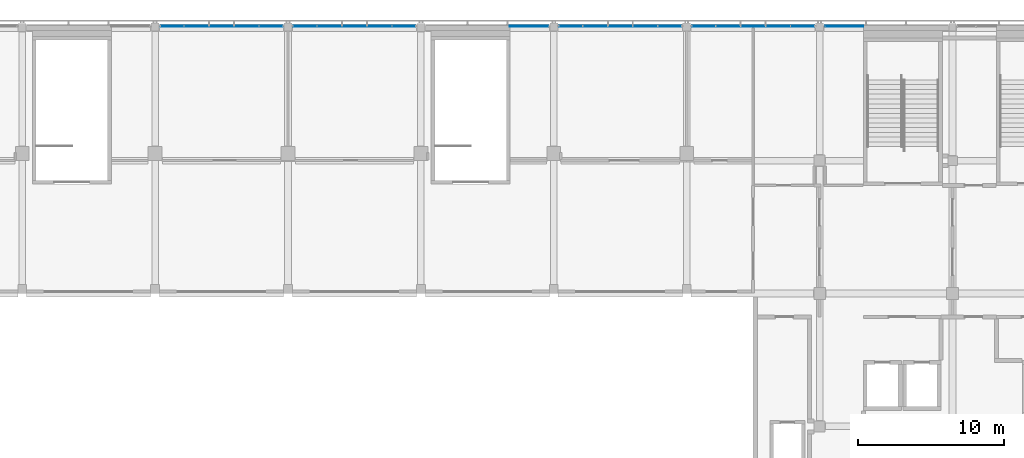
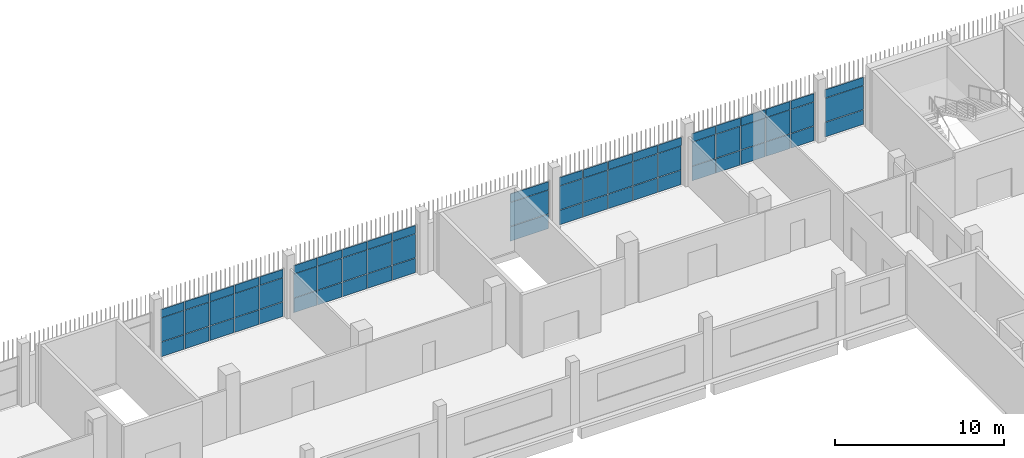
# One storey, part 49 of 104: 66 plates, 6 elements without a shape of their own.
"""IFC4 building model written with IfcOpenShell, lengths in metres."""

from ifc_helpers import new_model, si_unit, direction, frame, origin, origin_2d, place, context, subcontext, project, spatial, rectangle, extrude, material, layer, layer_set, type_object, element, aggregate, save


model = new_model("IFC4")

# Units and contexts
model_context = context("Model", 3, precision=1e-05, world=origin(), true_north=direction((0.0, 1.0)))
body_context = subcontext(model_context, "Body", "Model", "MODEL_VIEW")
ifc_project = project(units=[si_unit("LENGTHUNIT", "METRE"), si_unit("AREAUNIT", "SQUARE_METRE"), si_unit("VOLUMEUNIT", "CUBIC_METRE"), si_unit("PLANEANGLEUNIT", "RADIAN"), si_unit("MASSUNIT", "GRAM", prefix="KILO")], contexts=[model_context])

# Site, building, storey
site_placement = place(None, origin())
site = spatial("IfcSite", under=ifc_project, at=site_placement, CompositionType="ELEMENT")
building_placement = place(site_placement, origin())
building = spatial("IfcBuilding", under=site, at=building_placement, Name="Shirokan Park Arena", CompositionType="ELEMENT")
storey_placement = place(building_placement, frame((0.0, 0.0, 10.919921875)))
storey = spatial("IfcBuildingStorey", under=building, at=storey_placement, Name="L02", CompositionType="ELEMENT", Elevation=10.919921875)

# Curtain wall, plate
ifc_material_1 = material(Name="Steel and glass curtain wall", Category="steel")
ifc_layer_1 = layer(ifc_material_1, 0.1201171875)
ifc_layer_set_1 = layer_set([ifc_layer_1], Name="Steel and glass curtain wall 120 mm")
curtain_wall_type_1 = type_object("IfcCurtainWallType", Name="Curtain wall corner block side bay 120", PredefinedType="NOTDEFINED", material=ifc_layer_set_1)
curtain_wall_1_placement = place(storey_placement, origin())
curtain_wall_1 = element("IfcCurtainWall", 1, at=curtain_wall_1_placement, inside=storey, type_object=curtain_wall_type_1, Name="Curtain wall north bay 4 L02", PredefinedType="NOTDEFINED")
ifc_material_2 = material(Name="Aluminium sheet", Category="aluminium")
ifc_layer_2 = layer(ifc_material_2, 0.0029296875, Name="Aluminium sheet")
ifc_material_3 = material(Name="Mineral wool insulation")
ifc_layer_3 = layer(ifc_material_3, 0.053955078125, Name="Mineral wool insulation")
ifc_layer_4 = layer(ifc_material_2, 0.0029296875, Name="Aluminium sheet")
ifc_layer_set_2 = layer_set([ifc_layer_2, ifc_layer_3, ifc_layer_4], Name="Aluminium sheet + Mineral wool insulation")
plate_type_1 = type_object("IfcPlateType", Name="Insulated spandrel panel 60", PredefinedType="CURTAIN_PANEL", material=ifc_layer_set_2)
plate_1_placement = place(storey_placement, frame((110.887451171875, 109.2900390625, 2.8701171875), z_axis=(0.0, 0.0, 1.0), x_axis=(-1.0, 0.0, 0.0)))
plate_1 = element("IfcPlate", 2, at=plate_1_placement, type_object=plate_type_1, Name="CW3 panel 1.3", PredefinedType="CURTAIN_PANEL", context=body_context, shape_type="SweptSolid", body=[
    extrude(rectangle(XDim=2.625, YDim=0.06005859375, at=origin_2d()), origin(), (0.0, 0.0, 1.0), 0.590087890625),
])

# Curtain wall, plates
ifc_layer_5 = layer(ifc_material_1, 0.10009765625)
ifc_layer_set_3 = layer_set([ifc_layer_5], Name="Steel and glass curtain wall 100 mm")
curtain_wall_type_2 = type_object("IfcCurtainWallType", Name="Curtain wall sheltered bay 100", PredefinedType="NOTDEFINED", material=ifc_layer_set_3)
curtain_wall_2_placement = place(storey_placement, origin())
curtain_wall_2 = element("IfcCurtainWall", 3, at=curtain_wall_2_placement, inside=storey, type_object=curtain_wall_type_2, Name="Curtain wall north bay 5 L02", PredefinedType="NOTDEFINED")
plate_2_placement = place(storey_placement, frame((108.032470703125, 109.300048828125, 2.8701171875), z_axis=(0.0, 0.0, 1.0), x_axis=(-1.0, 0.0, 0.0)))
plate_2 = element("IfcPlate", 4, at=plate_2_placement, type_object=plate_type_1, Name="CW2 panel 1.3", PredefinedType="CURTAIN_PANEL", context=body_context, shape_type="SweptSolid", body=[
    extrude(rectangle(XDim=1.5849609375, YDim=0.06005859375, at=origin_2d()), origin(), (0.0, 0.0, 1.0), 0.590087890625),
])
plate_3_placement = place(storey_placement, frame((106.360107421875, 109.300048828125, 2.8701171875), z_axis=(0.0, 0.0, 1.0), x_axis=(-1.0, 0.0, 0.0)))
plate_3 = element("IfcPlate", 5, at=plate_3_placement, type_object=plate_type_1, Name="CW2 panel 2.3", PredefinedType="CURTAIN_PANEL", context=body_context, shape_type="SweptSolid", body=[
    extrude(rectangle(XDim=1.659912109375, YDim=0.06005859375, at=origin_2d()), origin(), (0.0, 0.0, 1.0), 0.590087890625),
])
plate_4_placement = place(storey_placement, frame((104.64990234375, 109.300048828125, 2.8701171875), z_axis=(0.0, 0.0, 1.0), x_axis=(-1.0, 0.0, 0.0)))
plate_4 = element("IfcPlate", 6, at=plate_4_placement, type_object=plate_type_1, Name="CW2 panel 3.3", PredefinedType="CURTAIN_PANEL", context=body_context, shape_type="SweptSolid", body=[
    extrude(rectangle(XDim=1.659912109375, YDim=0.06005859375, at=origin_2d()), origin(), (0.0, 0.0, 1.0), 0.590087890625),
])
plate_5_placement = place(storey_placement, frame((102.93994140625, 109.300048828125, 2.8701171875), z_axis=(0.0, 0.0, 1.0), x_axis=(-1.0, 0.0, 0.0)))
plate_5 = element("IfcPlate", 7, at=plate_5_placement, type_object=plate_type_1, Name="CW2 panel 4.3", PredefinedType="CURTAIN_PANEL", context=body_context, shape_type="SweptSolid", body=[
    extrude(rectangle(XDim=1.659912109375, YDim=0.06005859375, at=origin_2d()), origin(), (0.0, 0.0, 1.0), 0.590087890625),
])
plate_6_placement = place(storey_placement, frame((101.267578125, 109.300048828125, 2.8701171875), z_axis=(0.0, 0.0, 1.0), x_axis=(-1.0, 0.0, 0.0)))
plate_6 = element("IfcPlate", 8, at=plate_6_placement, type_object=plate_type_1, Name="CW2 panel 5.3", PredefinedType="CURTAIN_PANEL", context=body_context, shape_type="SweptSolid", body=[
    extrude(rectangle(XDim=1.5849609375, YDim=0.06005859375, at=origin_2d()), origin(), (0.0, 0.0, 1.0), 0.590087890625),
])

curtain_wall_3_placement = place(storey_placement, origin())
curtain_wall_3 = element("IfcCurtainWall", 9, at=curtain_wall_3_placement, inside=storey, type_object=curtain_wall_type_2, Name="Curtain wall north bay 6 L02", PredefinedType="NOTDEFINED")
plate_7_placement = place(storey_placement, frame((98.9326171875, 109.300048828125, 2.8701171875), z_axis=(0.0, 0.0, 1.0), x_axis=(-1.0, 0.0, 0.0)))
plate_7 = element("IfcPlate", 10, at=plate_7_placement, type_object=plate_type_1, Name="CW2 panel 1.3", PredefinedType="CURTAIN_PANEL", context=body_context, shape_type="SweptSolid", body=[
    extrude(rectangle(XDim=1.5849609375, YDim=0.06005859375, at=origin_2d()), origin(), (0.0, 0.0, 1.0), 0.590087890625),
])
plate_8_placement = place(storey_placement, frame((97.260009765625, 109.300048828125, 2.8701171875), z_axis=(0.0, 0.0, 1.0), x_axis=(-1.0, 0.0, 0.0)))
plate_8 = element("IfcPlate", 11, at=plate_8_placement, type_object=plate_type_1, Name="CW2 panel 2.3", PredefinedType="CURTAIN_PANEL", context=body_context, shape_type="SweptSolid", body=[
    extrude(rectangle(XDim=1.659912109375, YDim=0.06005859375, at=origin_2d()), origin(), (0.0, 0.0, 1.0), 0.590087890625),
])
plate_9_placement = place(storey_placement, frame((95.550048828125, 109.300048828125, 2.8701171875), z_axis=(0.0, 0.0, 1.0), x_axis=(-1.0, 0.0, 0.0)))
plate_9 = element("IfcPlate", 12, at=plate_9_placement, type_object=plate_type_1, Name="CW2 panel 3.3", PredefinedType="CURTAIN_PANEL", context=body_context, shape_type="SweptSolid", body=[
    extrude(rectangle(XDim=1.659912109375, YDim=0.06005859375, at=origin_2d()), origin(), (0.0, 0.0, 1.0), 0.590087890625),
])
plate_10_placement = place(storey_placement, frame((93.840087890625, 109.300048828125, 2.8701171875), z_axis=(0.0, 0.0, 1.0), x_axis=(-1.0, 0.0, 0.0)))
plate_10 = element("IfcPlate", 13, at=plate_10_placement, type_object=plate_type_1, Name="CW2 panel 4.3", PredefinedType="CURTAIN_PANEL", context=body_context, shape_type="SweptSolid", body=[
    extrude(rectangle(XDim=1.659912109375, YDim=0.06005859375, at=origin_2d()), origin(), (0.0, 0.0, 1.0), 0.590087890625),
])
plate_11_placement = place(storey_placement, frame((92.16748046875, 109.300048828125, 2.8701171875), z_axis=(0.0, 0.0, 1.0), x_axis=(-1.0, 0.0, 0.0)))
plate_11 = element("IfcPlate", 14, at=plate_11_placement, type_object=plate_type_1, Name="CW2 panel 5.3", PredefinedType="CURTAIN_PANEL", context=body_context, shape_type="SweptSolid", body=[
    extrude(rectangle(XDim=1.5849609375, YDim=0.06005859375, at=origin_2d()), origin(), (0.0, 0.0, 1.0), 0.590087890625),
])

# Curtain wall, plate
curtain_wall_4_placement = place(storey_placement, origin())
curtain_wall_4 = element("IfcCurtainWall", 15, at=curtain_wall_4_placement, inside=storey, type_object=curtain_wall_type_1, Name="Curtain wall north bay 7 L02", PredefinedType="NOTDEFINED")
plate_12_placement = place(storey_placement, frame((89.3125, 109.2900390625, 2.8701171875), z_axis=(0.0, 0.0, 1.0), x_axis=(-1.0, 0.0, 0.0)))
plate_12 = element("IfcPlate", 16, at=plate_12_placement, type_object=plate_type_1, Name="CW3 panel 1.3", PredefinedType="CURTAIN_PANEL", context=body_context, shape_type="SweptSolid", body=[
    extrude(rectangle(XDim=2.625, YDim=0.06005859375, at=origin_2d()), origin(), (0.0, 0.0, 1.0), 0.590087890625),
])

# Curtain wall, plates
curtain_wall_5_placement = place(storey_placement, origin())
curtain_wall_5 = element("IfcCurtainWall", 17, at=curtain_wall_5_placement, inside=storey, type_object=curtain_wall_type_2, Name="Curtain wall north bay 8 L02", PredefinedType="NOTDEFINED")
plate_13_placement = place(storey_placement, frame((80.732421875, 109.300048828125, 2.8701171875), z_axis=(0.0, 0.0, 1.0), x_axis=(-1.0, 0.0, 0.0)))
plate_13 = element("IfcPlate", 18, at=plate_13_placement, type_object=plate_type_1, Name="CW2 panel 1.3", PredefinedType="CURTAIN_PANEL", context=body_context, shape_type="SweptSolid", body=[
    extrude(rectangle(XDim=1.5849609375, YDim=0.06005859375, at=origin_2d()), origin(), (0.0, 0.0, 1.0), 0.590087890625),
])
plate_14_placement = place(storey_placement, frame((79.06005859375, 109.300048828125, 2.8701171875), z_axis=(0.0, 0.0, 1.0), x_axis=(-1.0, 0.0, 0.0)))
plate_14 = element("IfcPlate", 19, at=plate_14_placement, type_object=plate_type_1, Name="CW2 panel 2.3", PredefinedType="CURTAIN_PANEL", context=body_context, shape_type="SweptSolid", body=[
    extrude(rectangle(XDim=1.659912109375, YDim=0.06005859375, at=origin_2d()), origin(), (0.0, 0.0, 1.0), 0.590087890625),
])
plate_15_placement = place(storey_placement, frame((77.35009765625, 109.300048828125, 2.8701171875), z_axis=(0.0, 0.0, 1.0), x_axis=(-1.0, 0.0, 0.0)))
plate_15 = element("IfcPlate", 20, at=plate_15_placement, type_object=plate_type_1, Name="CW2 panel 3.3", PredefinedType="CURTAIN_PANEL", context=body_context, shape_type="SweptSolid", body=[
    extrude(rectangle(XDim=1.659912109375, YDim=0.06005859375, at=origin_2d()), origin(), (0.0, 0.0, 1.0), 0.590087890625),
])
plate_16_placement = place(storey_placement, frame((75.639892578125, 109.300048828125, 2.8701171875), z_axis=(0.0, 0.0, 1.0), x_axis=(-1.0, 0.0, 0.0)))
plate_16 = element("IfcPlate", 21, at=plate_16_placement, type_object=plate_type_1, Name="CW2 panel 4.3", PredefinedType="CURTAIN_PANEL", context=body_context, shape_type="SweptSolid", body=[
    extrude(rectangle(XDim=1.659912109375, YDim=0.06005859375, at=origin_2d()), origin(), (0.0, 0.0, 1.0), 0.590087890625),
])
plate_17_placement = place(storey_placement, frame((73.967529296875, 109.300048828125, 2.8701171875), z_axis=(0.0, 0.0, 1.0), x_axis=(-1.0, 0.0, 0.0)))
plate_17 = element("IfcPlate", 22, at=plate_17_placement, type_object=plate_type_1, Name="CW2 panel 5.3", PredefinedType="CURTAIN_PANEL", context=body_context, shape_type="SweptSolid", body=[
    extrude(rectangle(XDim=1.5849609375, YDim=0.06005859375, at=origin_2d()), origin(), (0.0, 0.0, 1.0), 0.590087890625),
])

curtain_wall_6_placement = place(storey_placement, origin())
curtain_wall_6 = element("IfcCurtainWall", 23, at=curtain_wall_6_placement, inside=storey, type_object=curtain_wall_type_2, Name="Curtain wall north bay 9 L02", PredefinedType="NOTDEFINED")
plate_18_placement = place(storey_placement, frame((71.632568359375, 109.300048828125, 2.8701171875), z_axis=(0.0, 0.0, 1.0), x_axis=(-1.0, 0.0, 0.0)))
plate_18 = element("IfcPlate", 24, at=plate_18_placement, type_object=plate_type_1, Name="CW2 panel 1.3", PredefinedType="CURTAIN_PANEL", context=body_context, shape_type="SweptSolid", body=[
    extrude(rectangle(XDim=1.5849609375, YDim=0.06005859375, at=origin_2d()), origin(), (0.0, 0.0, 1.0), 0.590087890625),
])
plate_19_placement = place(storey_placement, frame((69.9599609375, 109.300048828125, 2.8701171875), z_axis=(0.0, 0.0, 1.0), x_axis=(-1.0, 0.0, 0.0)))
plate_19 = element("IfcPlate", 25, at=plate_19_placement, type_object=plate_type_1, Name="CW2 panel 2.3", PredefinedType="CURTAIN_PANEL", context=body_context, shape_type="SweptSolid", body=[
    extrude(rectangle(XDim=1.659912109375, YDim=0.06005859375, at=origin_2d()), origin(), (0.0, 0.0, 1.0), 0.590087890625),
])
plate_20_placement = place(storey_placement, frame((68.25, 109.300048828125, 2.8701171875), z_axis=(0.0, 0.0, 1.0), x_axis=(-1.0, 0.0, 0.0)))
plate_20 = element("IfcPlate", 26, at=plate_20_placement, type_object=plate_type_1, Name="CW2 panel 3.3", PredefinedType="CURTAIN_PANEL", context=body_context, shape_type="SweptSolid", body=[
    extrude(rectangle(XDim=1.659912109375, YDim=0.06005859375, at=origin_2d()), origin(), (0.0, 0.0, 1.0), 0.590087890625),
])
plate_21_placement = place(storey_placement, frame((66.5400390625, 109.300048828125, 2.8701171875), z_axis=(0.0, 0.0, 1.0), x_axis=(-1.0, 0.0, 0.0)))
plate_21 = element("IfcPlate", 27, at=plate_21_placement, type_object=plate_type_1, Name="CW2 panel 4.3", PredefinedType="CURTAIN_PANEL", context=body_context, shape_type="SweptSolid", body=[
    extrude(rectangle(XDim=1.659912109375, YDim=0.06005859375, at=origin_2d()), origin(), (0.0, 0.0, 1.0), 0.590087890625),
])
plate_22_placement = place(storey_placement, frame((64.867431640625, 109.300048828125, 2.8701171875), z_axis=(0.0, 0.0, 1.0), x_axis=(-1.0, 0.0, 0.0)))
plate_22 = element("IfcPlate", 28, at=plate_22_placement, type_object=plate_type_1, Name="CW2 panel 5.3", PredefinedType="CURTAIN_PANEL", context=body_context, shape_type="SweptSolid", body=[
    extrude(rectangle(XDim=1.5849609375, YDim=0.06005859375, at=origin_2d()), origin(), (0.0, 0.0, 1.0), 0.590087890625),
])

# Plate
ifc_material_4 = material(Name="Toughened glass", Category="glass")
ifc_layer_6 = layer(ifc_material_4, 0.012939453125, Name="Toughened glass")
ifc_material_5 = material(Name="Interlayer film")
ifc_layer_7 = layer(ifc_material_5, 0.001953125, Name="Interlayer film")
ifc_layer_8 = layer(ifc_material_4, 0.012939453125, Name="Toughened glass")
ifc_layer_set_4 = layer_set([ifc_layer_6, ifc_layer_7, ifc_layer_8], Name="Toughened glass + Interlayer film")
plate_type_2 = type_object("IfcPlateType", Name="Laminated glass panel 28", PredefinedType="CURTAIN_PANEL", material=ifc_layer_set_4)
plate_23_placement = place(storey_placement, frame((110.887451171875, 109.2900390625, 1.1201171875), z_axis=(0.0, 0.0, 1.0), x_axis=(-1.0, 0.0, 0.0)))
plate_23 = element("IfcPlate", 29, at=plate_23_placement, type_object=plate_type_2, Name="CW3 panel 1.2", PredefinedType="CURTAIN_PANEL", context=body_context, shape_type="SweptSolid", body=[
    extrude(rectangle(XDim=2.625, YDim=0.028076171875, at=origin_2d()), origin(), (0.0, 0.0, 1.0), 1.7099609375),
])

plate_24_placement = place(storey_placement, frame((108.032470703125, 109.300048828125, 1.1201171875), z_axis=(0.0, 0.0, 1.0), x_axis=(-1.0, 0.0, 0.0)))
plate_24 = element("IfcPlate", 30, at=plate_24_placement, type_object=plate_type_2, Name="CW2 panel 1.2", PredefinedType="CURTAIN_PANEL", context=body_context, shape_type="SweptSolid", body=[
    extrude(rectangle(XDim=1.5849609375, YDim=0.028076171875, at=origin_2d()), origin(), (0.0, 0.0, 1.0), 1.7099609375),
])

plate_25_placement = place(storey_placement, frame((106.360107421875, 109.300048828125, 1.1201171875), z_axis=(0.0, 0.0, 1.0), x_axis=(-1.0, 0.0, 0.0)))
plate_25 = element("IfcPlate", 31, at=plate_25_placement, type_object=plate_type_2, Name="CW2 panel 2.2", PredefinedType="CURTAIN_PANEL", context=body_context, shape_type="SweptSolid", body=[
    extrude(rectangle(XDim=1.659912109375, YDim=0.028076171875, at=origin_2d()), origin(), (0.0, 0.0, 1.0), 1.7099609375),
])

plate_26_placement = place(storey_placement, frame((104.64990234375, 109.300048828125, 1.1201171875), z_axis=(0.0, 0.0, 1.0), x_axis=(-1.0, 0.0, 0.0)))
plate_26 = element("IfcPlate", 32, at=plate_26_placement, type_object=plate_type_2, Name="CW2 panel 3.2", PredefinedType="CURTAIN_PANEL", context=body_context, shape_type="SweptSolid", body=[
    extrude(rectangle(XDim=1.659912109375, YDim=0.028076171875, at=origin_2d()), origin(), (0.0, 0.0, 1.0), 1.7099609375),
])

plate_27_placement = place(storey_placement, frame((102.93994140625, 109.300048828125, 1.1201171875), z_axis=(0.0, 0.0, 1.0), x_axis=(-1.0, 0.0, 0.0)))
plate_27 = element("IfcPlate", 33, at=plate_27_placement, type_object=plate_type_2, Name="CW2 panel 4.2", PredefinedType="CURTAIN_PANEL", context=body_context, shape_type="SweptSolid", body=[
    extrude(rectangle(XDim=1.659912109375, YDim=0.028076171875, at=origin_2d()), origin(), (0.0, 0.0, 1.0), 1.7099609375),
])

plate_28_placement = place(storey_placement, frame((101.267578125, 109.300048828125, 1.1201171875), z_axis=(0.0, 0.0, 1.0), x_axis=(-1.0, 0.0, 0.0)))
plate_28 = element("IfcPlate", 34, at=plate_28_placement, type_object=plate_type_2, Name="CW2 panel 5.2", PredefinedType="CURTAIN_PANEL", context=body_context, shape_type="SweptSolid", body=[
    extrude(rectangle(XDim=1.5849609375, YDim=0.028076171875, at=origin_2d()), origin(), (0.0, 0.0, 1.0), 1.7099609375),
])

plate_29_placement = place(storey_placement, frame((98.9326171875, 109.300048828125, 1.1201171875), z_axis=(0.0, 0.0, 1.0), x_axis=(-1.0, 0.0, 0.0)))
plate_29 = element("IfcPlate", 35, at=plate_29_placement, type_object=plate_type_2, Name="CW2 panel 1.2", PredefinedType="CURTAIN_PANEL", context=body_context, shape_type="SweptSolid", body=[
    extrude(rectangle(XDim=1.5849609375, YDim=0.028076171875, at=origin_2d()), origin(), (0.0, 0.0, 1.0), 1.7099609375),
])

plate_30_placement = place(storey_placement, frame((97.260009765625, 109.300048828125, 1.1201171875), z_axis=(0.0, 0.0, 1.0), x_axis=(-1.0, 0.0, 0.0)))
plate_30 = element("IfcPlate", 36, at=plate_30_placement, type_object=plate_type_2, Name="CW2 panel 2.2", PredefinedType="CURTAIN_PANEL", context=body_context, shape_type="SweptSolid", body=[
    extrude(rectangle(XDim=1.659912109375, YDim=0.028076171875, at=origin_2d()), origin(), (0.0, 0.0, 1.0), 1.7099609375),
])

plate_31_placement = place(storey_placement, frame((95.550048828125, 109.300048828125, 1.1201171875), z_axis=(0.0, 0.0, 1.0), x_axis=(-1.0, 0.0, 0.0)))
plate_31 = element("IfcPlate", 37, at=plate_31_placement, type_object=plate_type_2, Name="CW2 panel 3.2", PredefinedType="CURTAIN_PANEL", context=body_context, shape_type="SweptSolid", body=[
    extrude(rectangle(XDim=1.659912109375, YDim=0.028076171875, at=origin_2d()), origin(), (0.0, 0.0, 1.0), 1.7099609375),
])

plate_32_placement = place(storey_placement, frame((93.840087890625, 109.300048828125, 1.1201171875), z_axis=(0.0, 0.0, 1.0), x_axis=(-1.0, 0.0, 0.0)))
plate_32 = element("IfcPlate", 38, at=plate_32_placement, type_object=plate_type_2, Name="CW2 panel 4.2", PredefinedType="CURTAIN_PANEL", context=body_context, shape_type="SweptSolid", body=[
    extrude(rectangle(XDim=1.659912109375, YDim=0.028076171875, at=origin_2d()), origin(), (0.0, 0.0, 1.0), 1.7099609375),
])

plate_33_placement = place(storey_placement, frame((92.16748046875, 109.300048828125, 1.1201171875), z_axis=(0.0, 0.0, 1.0), x_axis=(-1.0, 0.0, 0.0)))
plate_33 = element("IfcPlate", 39, at=plate_33_placement, type_object=plate_type_2, Name="CW2 panel 5.2", PredefinedType="CURTAIN_PANEL", context=body_context, shape_type="SweptSolid", body=[
    extrude(rectangle(XDim=1.5849609375, YDim=0.028076171875, at=origin_2d()), origin(), (0.0, 0.0, 1.0), 1.7099609375),
])

plate_34_placement = place(storey_placement, frame((89.3125, 109.2900390625, 1.1201171875), z_axis=(0.0, 0.0, 1.0), x_axis=(-1.0, 0.0, 0.0)))
plate_34 = element("IfcPlate", 40, at=plate_34_placement, type_object=plate_type_2, Name="CW3 panel 1.2", PredefinedType="CURTAIN_PANEL", context=body_context, shape_type="SweptSolid", body=[
    extrude(rectangle(XDim=2.625, YDim=0.028076171875, at=origin_2d()), origin(), (0.0, 0.0, 1.0), 1.7099609375),
])

plate_35_placement = place(storey_placement, frame((80.732421875, 109.300048828125, 1.1201171875), z_axis=(0.0, 0.0, 1.0), x_axis=(-1.0, 0.0, 0.0)))
plate_35 = element("IfcPlate", 41, at=plate_35_placement, type_object=plate_type_2, Name="CW2 panel 1.2", PredefinedType="CURTAIN_PANEL", context=body_context, shape_type="SweptSolid", body=[
    extrude(rectangle(XDim=1.5849609375, YDim=0.028076171875, at=origin_2d()), origin(), (0.0, 0.0, 1.0), 1.7099609375),
])

plate_36_placement = place(storey_placement, frame((79.06005859375, 109.300048828125, 1.1201171875), z_axis=(0.0, 0.0, 1.0), x_axis=(-1.0, 0.0, 0.0)))
plate_36 = element("IfcPlate", 42, at=plate_36_placement, type_object=plate_type_2, Name="CW2 panel 2.2", PredefinedType="CURTAIN_PANEL", context=body_context, shape_type="SweptSolid", body=[
    extrude(rectangle(XDim=1.659912109375, YDim=0.028076171875, at=origin_2d()), origin(), (0.0, 0.0, 1.0), 1.7099609375),
])

plate_37_placement = place(storey_placement, frame((77.35009765625, 109.300048828125, 1.1201171875), z_axis=(0.0, 0.0, 1.0), x_axis=(-1.0, 0.0, 0.0)))
plate_37 = element("IfcPlate", 43, at=plate_37_placement, type_object=plate_type_2, Name="CW2 panel 3.2", PredefinedType="CURTAIN_PANEL", context=body_context, shape_type="SweptSolid", body=[
    extrude(rectangle(XDim=1.659912109375, YDim=0.028076171875, at=origin_2d()), origin(), (0.0, 0.0, 1.0), 1.7099609375),
])

plate_38_placement = place(storey_placement, frame((75.639892578125, 109.300048828125, 1.1201171875), z_axis=(0.0, 0.0, 1.0), x_axis=(-1.0, 0.0, 0.0)))
plate_38 = element("IfcPlate", 44, at=plate_38_placement, type_object=plate_type_2, Name="CW2 panel 4.2", PredefinedType="CURTAIN_PANEL", context=body_context, shape_type="SweptSolid", body=[
    extrude(rectangle(XDim=1.659912109375, YDim=0.028076171875, at=origin_2d()), origin(), (0.0, 0.0, 1.0), 1.7099609375),
])

plate_39_placement = place(storey_placement, frame((73.967529296875, 109.300048828125, 1.1201171875), z_axis=(0.0, 0.0, 1.0), x_axis=(-1.0, 0.0, 0.0)))
plate_39 = element("IfcPlate", 45, at=plate_39_placement, type_object=plate_type_2, Name="CW2 panel 5.2", PredefinedType="CURTAIN_PANEL", context=body_context, shape_type="SweptSolid", body=[
    extrude(rectangle(XDim=1.5849609375, YDim=0.028076171875, at=origin_2d()), origin(), (0.0, 0.0, 1.0), 1.7099609375),
])

plate_40_placement = place(storey_placement, frame((71.632568359375, 109.300048828125, 1.1201171875), z_axis=(0.0, 0.0, 1.0), x_axis=(-1.0, 0.0, 0.0)))
plate_40 = element("IfcPlate", 46, at=plate_40_placement, type_object=plate_type_2, Name="CW2 panel 1.2", PredefinedType="CURTAIN_PANEL", context=body_context, shape_type="SweptSolid", body=[
    extrude(rectangle(XDim=1.5849609375, YDim=0.028076171875, at=origin_2d()), origin(), (0.0, 0.0, 1.0), 1.7099609375),
])

plate_41_placement = place(storey_placement, frame((69.9599609375, 109.300048828125, 1.1201171875), z_axis=(0.0, 0.0, 1.0), x_axis=(-1.0, 0.0, 0.0)))
plate_41 = element("IfcPlate", 47, at=plate_41_placement, type_object=plate_type_2, Name="CW2 panel 2.2", PredefinedType="CURTAIN_PANEL", context=body_context, shape_type="SweptSolid", body=[
    extrude(rectangle(XDim=1.659912109375, YDim=0.028076171875, at=origin_2d()), origin(), (0.0, 0.0, 1.0), 1.7099609375),
])

plate_42_placement = place(storey_placement, frame((68.25, 109.300048828125, 1.1201171875), z_axis=(0.0, 0.0, 1.0), x_axis=(-1.0, 0.0, 0.0)))
plate_42 = element("IfcPlate", 48, at=plate_42_placement, type_object=plate_type_2, Name="CW2 panel 3.2", PredefinedType="CURTAIN_PANEL", context=body_context, shape_type="SweptSolid", body=[
    extrude(rectangle(XDim=1.659912109375, YDim=0.028076171875, at=origin_2d()), origin(), (0.0, 0.0, 1.0), 1.7099609375),
])

plate_43_placement = place(storey_placement, frame((66.5400390625, 109.300048828125, 1.1201171875), z_axis=(0.0, 0.0, 1.0), x_axis=(-1.0, 0.0, 0.0)))
plate_43 = element("IfcPlate", 49, at=plate_43_placement, type_object=plate_type_2, Name="CW2 panel 4.2", PredefinedType="CURTAIN_PANEL", context=body_context, shape_type="SweptSolid", body=[
    extrude(rectangle(XDim=1.659912109375, YDim=0.028076171875, at=origin_2d()), origin(), (0.0, 0.0, 1.0), 1.7099609375),
])

plate_44_placement = place(storey_placement, frame((64.867431640625, 109.300048828125, 1.1201171875), z_axis=(0.0, 0.0, 1.0), x_axis=(-1.0, 0.0, 0.0)))
plate_44 = element("IfcPlate", 50, at=plate_44_placement, type_object=plate_type_2, Name="CW2 panel 5.2", PredefinedType="CURTAIN_PANEL", context=body_context, shape_type="SweptSolid", body=[
    extrude(rectangle(XDim=1.5849609375, YDim=0.028076171875, at=origin_2d()), origin(), (0.0, 0.0, 1.0), 1.7099609375),
])

ifc_layer_9 = layer(ifc_material_4, 0.01708984375, Name="Toughened glass")
ifc_layer_10 = layer(ifc_material_5, 0.001953125, Name="Interlayer film")
ifc_layer_11 = layer(ifc_material_4, 0.01708984375, Name="Toughened glass")
ifc_layer_set_5 = layer_set([ifc_layer_9, ifc_layer_10, ifc_layer_11], Name="Toughened glass + Interlayer film")
plate_type_3 = type_object("IfcPlateType", Name="Laminated safety glass panel 36", PredefinedType="CURTAIN_PANEL", material=ifc_layer_set_5)
plate_45_placement = place(storey_placement, frame((110.887451171875, 109.2900390625, 0.0400390625), z_axis=(0.0, 0.0, 1.0), x_axis=(-1.0, 0.0, 0.0)))
plate_45 = element("IfcPlate", 51, at=plate_45_placement, type_object=plate_type_3, Name="CW3 panel 1.1", PredefinedType="CURTAIN_PANEL", context=body_context, shape_type="SweptSolid", body=[
    extrude(rectangle(XDim=2.625, YDim=0.035888671875, at=origin_2d()), origin(), (0.0, 0.0, 1.0), 1.0400390625),
])

aggregate(curtain_wall_1, [plate_45, plate_23, plate_1])

plate_46_placement = place(storey_placement, frame((108.032470703125, 109.300048828125, 0.0400390625), z_axis=(0.0, 0.0, 1.0), x_axis=(-1.0, 0.0, 0.0)))
plate_46 = element("IfcPlate", 52, at=plate_46_placement, type_object=plate_type_3, Name="CW2 panel 1.1", PredefinedType="CURTAIN_PANEL", context=body_context, shape_type="SweptSolid", body=[
    extrude(rectangle(XDim=1.5849609375, YDim=0.035888671875, at=origin_2d()), origin(), (0.0, 0.0, 1.0), 1.0400390625),
])

plate_47_placement = place(storey_placement, frame((106.360107421875, 109.300048828125, 0.0400390625), z_axis=(0.0, 0.0, 1.0), x_axis=(-1.0, 0.0, 0.0)))
plate_47 = element("IfcPlate", 53, at=plate_47_placement, type_object=plate_type_3, Name="CW2 panel 2.1", PredefinedType="CURTAIN_PANEL", context=body_context, shape_type="SweptSolid", body=[
    extrude(rectangle(XDim=1.659912109375, YDim=0.035888671875, at=origin_2d()), origin(), (0.0, 0.0, 1.0), 1.0400390625),
])

plate_48_placement = place(storey_placement, frame((104.64990234375, 109.300048828125, 0.0400390625), z_axis=(0.0, 0.0, 1.0), x_axis=(-1.0, 0.0, 0.0)))
plate_48 = element("IfcPlate", 54, at=plate_48_placement, type_object=plate_type_3, Name="CW2 panel 3.1", PredefinedType="CURTAIN_PANEL", context=body_context, shape_type="SweptSolid", body=[
    extrude(rectangle(XDim=1.659912109375, YDim=0.035888671875, at=origin_2d()), origin(), (0.0, 0.0, 1.0), 1.0400390625),
])

plate_49_placement = place(storey_placement, frame((102.93994140625, 109.300048828125, 0.0400390625), z_axis=(0.0, 0.0, 1.0), x_axis=(-1.0, 0.0, 0.0)))
plate_49 = element("IfcPlate", 55, at=plate_49_placement, type_object=plate_type_3, Name="CW2 panel 4.1", PredefinedType="CURTAIN_PANEL", context=body_context, shape_type="SweptSolid", body=[
    extrude(rectangle(XDim=1.659912109375, YDim=0.035888671875, at=origin_2d()), origin(), (0.0, 0.0, 1.0), 1.0400390625),
])

plate_50_placement = place(storey_placement, frame((101.267578125, 109.300048828125, 0.0400390625), z_axis=(0.0, 0.0, 1.0), x_axis=(-1.0, 0.0, 0.0)))
plate_50 = element("IfcPlate", 56, at=plate_50_placement, type_object=plate_type_3, Name="CW2 panel 5.1", PredefinedType="CURTAIN_PANEL", context=body_context, shape_type="SweptSolid", body=[
    extrude(rectangle(XDim=1.5849609375, YDim=0.035888671875, at=origin_2d()), origin(), (0.0, 0.0, 1.0), 1.0400390625),
])

aggregate(curtain_wall_2, [plate_46, plate_24, plate_2, plate_47, plate_25, plate_3, plate_48, plate_26, plate_4, plate_49, plate_27, plate_5, plate_50, plate_28, plate_6])

plate_51_placement = place(storey_placement, frame((98.9326171875, 109.300048828125, 0.0400390625), z_axis=(0.0, 0.0, 1.0), x_axis=(-1.0, 0.0, 0.0)))
plate_51 = element("IfcPlate", 57, at=plate_51_placement, type_object=plate_type_3, Name="CW2 panel 1.1", PredefinedType="CURTAIN_PANEL", context=body_context, shape_type="SweptSolid", body=[
    extrude(rectangle(XDim=1.5849609375, YDim=0.035888671875, at=origin_2d()), origin(), (0.0, 0.0, 1.0), 1.0400390625),
])

plate_52_placement = place(storey_placement, frame((97.260009765625, 109.300048828125, 0.0400390625), z_axis=(0.0, 0.0, 1.0), x_axis=(-1.0, 0.0, 0.0)))
plate_52 = element("IfcPlate", 58, at=plate_52_placement, type_object=plate_type_3, Name="CW2 panel 2.1", PredefinedType="CURTAIN_PANEL", context=body_context, shape_type="SweptSolid", body=[
    extrude(rectangle(XDim=1.659912109375, YDim=0.035888671875, at=origin_2d()), origin(), (0.0, 0.0, 1.0), 1.0400390625),
])

plate_53_placement = place(storey_placement, frame((95.550048828125, 109.300048828125, 0.0400390625), z_axis=(0.0, 0.0, 1.0), x_axis=(-1.0, 0.0, 0.0)))
plate_53 = element("IfcPlate", 59, at=plate_53_placement, type_object=plate_type_3, Name="CW2 panel 3.1", PredefinedType="CURTAIN_PANEL", context=body_context, shape_type="SweptSolid", body=[
    extrude(rectangle(XDim=1.659912109375, YDim=0.035888671875, at=origin_2d()), origin(), (0.0, 0.0, 1.0), 1.0400390625),
])

plate_54_placement = place(storey_placement, frame((93.840087890625, 109.300048828125, 0.0400390625), z_axis=(0.0, 0.0, 1.0), x_axis=(-1.0, 0.0, 0.0)))
plate_54 = element("IfcPlate", 60, at=plate_54_placement, type_object=plate_type_3, Name="CW2 panel 4.1", PredefinedType="CURTAIN_PANEL", context=body_context, shape_type="SweptSolid", body=[
    extrude(rectangle(XDim=1.659912109375, YDim=0.035888671875, at=origin_2d()), origin(), (0.0, 0.0, 1.0), 1.0400390625),
])

plate_55_placement = place(storey_placement, frame((92.16748046875, 109.300048828125, 0.0400390625), z_axis=(0.0, 0.0, 1.0), x_axis=(-1.0, 0.0, 0.0)))
plate_55 = element("IfcPlate", 61, at=plate_55_placement, type_object=plate_type_3, Name="CW2 panel 5.1", PredefinedType="CURTAIN_PANEL", context=body_context, shape_type="SweptSolid", body=[
    extrude(rectangle(XDim=1.5849609375, YDim=0.035888671875, at=origin_2d()), origin(), (0.0, 0.0, 1.0), 1.0400390625),
])

aggregate(curtain_wall_3, [plate_51, plate_29, plate_7, plate_52, plate_30, plate_8, plate_53, plate_31, plate_9, plate_54, plate_32, plate_10, plate_55, plate_33, plate_11])

plate_56_placement = place(storey_placement, frame((89.3125, 109.2900390625, 0.0400390625), z_axis=(0.0, 0.0, 1.0), x_axis=(-1.0, 0.0, 0.0)))
plate_56 = element("IfcPlate", 62, at=plate_56_placement, type_object=plate_type_3, Name="CW3 panel 1.1", PredefinedType="CURTAIN_PANEL", context=body_context, shape_type="SweptSolid", body=[
    extrude(rectangle(XDim=2.625, YDim=0.035888671875, at=origin_2d()), origin(), (0.0, 0.0, 1.0), 1.0400390625),
])

aggregate(curtain_wall_4, [plate_56, plate_34, plate_12])

plate_57_placement = place(storey_placement, frame((80.732421875, 109.300048828125, 0.0400390625), z_axis=(0.0, 0.0, 1.0), x_axis=(-1.0, 0.0, 0.0)))
plate_57 = element("IfcPlate", 63, at=plate_57_placement, type_object=plate_type_3, Name="CW2 panel 1.1", PredefinedType="CURTAIN_PANEL", context=body_context, shape_type="SweptSolid", body=[
    extrude(rectangle(XDim=1.5849609375, YDim=0.035888671875, at=origin_2d()), origin(), (0.0, 0.0, 1.0), 1.0400390625),
])

plate_58_placement = place(storey_placement, frame((79.06005859375, 109.300048828125, 0.0400390625), z_axis=(0.0, 0.0, 1.0), x_axis=(-1.0, 0.0, 0.0)))
plate_58 = element("IfcPlate", 64, at=plate_58_placement, type_object=plate_type_3, Name="CW2 panel 2.1", PredefinedType="CURTAIN_PANEL", context=body_context, shape_type="SweptSolid", body=[
    extrude(rectangle(XDim=1.659912109375, YDim=0.035888671875, at=origin_2d()), origin(), (0.0, 0.0, 1.0), 1.0400390625),
])

plate_59_placement = place(storey_placement, frame((77.35009765625, 109.300048828125, 0.0400390625), z_axis=(0.0, 0.0, 1.0), x_axis=(-1.0, 0.0, 0.0)))
plate_59 = element("IfcPlate", 65, at=plate_59_placement, type_object=plate_type_3, Name="CW2 panel 3.1", PredefinedType="CURTAIN_PANEL", context=body_context, shape_type="SweptSolid", body=[
    extrude(rectangle(XDim=1.659912109375, YDim=0.035888671875, at=origin_2d()), origin(), (0.0, 0.0, 1.0), 1.0400390625),
])

plate_60_placement = place(storey_placement, frame((75.639892578125, 109.300048828125, 0.0400390625), z_axis=(0.0, 0.0, 1.0), x_axis=(-1.0, 0.0, 0.0)))
plate_60 = element("IfcPlate", 66, at=plate_60_placement, type_object=plate_type_3, Name="CW2 panel 4.1", PredefinedType="CURTAIN_PANEL", context=body_context, shape_type="SweptSolid", body=[
    extrude(rectangle(XDim=1.659912109375, YDim=0.035888671875, at=origin_2d()), origin(), (0.0, 0.0, 1.0), 1.0400390625),
])

plate_61_placement = place(storey_placement, frame((73.967529296875, 109.300048828125, 0.0400390625), z_axis=(0.0, 0.0, 1.0), x_axis=(-1.0, 0.0, 0.0)))
plate_61 = element("IfcPlate", 67, at=plate_61_placement, type_object=plate_type_3, Name="CW2 panel 5.1", PredefinedType="CURTAIN_PANEL", context=body_context, shape_type="SweptSolid", body=[
    extrude(rectangle(XDim=1.5849609375, YDim=0.035888671875, at=origin_2d()), origin(), (0.0, 0.0, 1.0), 1.0400390625),
])

aggregate(curtain_wall_5, [plate_57, plate_35, plate_13, plate_58, plate_36, plate_14, plate_59, plate_37, plate_15, plate_60, plate_38, plate_16, plate_61, plate_39, plate_17])

plate_62_placement = place(storey_placement, frame((71.632568359375, 109.300048828125, 0.0400390625), z_axis=(0.0, 0.0, 1.0), x_axis=(-1.0, 0.0, 0.0)))
plate_62 = element("IfcPlate", 68, at=plate_62_placement, type_object=plate_type_3, Name="CW2 panel 1.1", PredefinedType="CURTAIN_PANEL", context=body_context, shape_type="SweptSolid", body=[
    extrude(rectangle(XDim=1.5849609375, YDim=0.035888671875, at=origin_2d()), origin(), (0.0, 0.0, 1.0), 1.0400390625),
])

plate_63_placement = place(storey_placement, frame((69.9599609375, 109.300048828125, 0.0400390625), z_axis=(0.0, 0.0, 1.0), x_axis=(-1.0, 0.0, 0.0)))
plate_63 = element("IfcPlate", 69, at=plate_63_placement, type_object=plate_type_3, Name="CW2 panel 2.1", PredefinedType="CURTAIN_PANEL", context=body_context, shape_type="SweptSolid", body=[
    extrude(rectangle(XDim=1.659912109375, YDim=0.035888671875, at=origin_2d()), origin(), (0.0, 0.0, 1.0), 1.0400390625),
])

plate_64_placement = place(storey_placement, frame((68.25, 109.300048828125, 0.0400390625), z_axis=(0.0, 0.0, 1.0), x_axis=(-1.0, 0.0, 0.0)))
plate_64 = element("IfcPlate", 70, at=plate_64_placement, type_object=plate_type_3, Name="CW2 panel 3.1", PredefinedType="CURTAIN_PANEL", context=body_context, shape_type="SweptSolid", body=[
    extrude(rectangle(XDim=1.659912109375, YDim=0.035888671875, at=origin_2d()), origin(), (0.0, 0.0, 1.0), 1.0400390625),
])

plate_65_placement = place(storey_placement, frame((66.5400390625, 109.300048828125, 0.0400390625), z_axis=(0.0, 0.0, 1.0), x_axis=(-1.0, 0.0, 0.0)))
plate_65 = element("IfcPlate", 71, at=plate_65_placement, type_object=plate_type_3, Name="CW2 panel 4.1", PredefinedType="CURTAIN_PANEL", context=body_context, shape_type="SweptSolid", body=[
    extrude(rectangle(XDim=1.659912109375, YDim=0.035888671875, at=origin_2d()), origin(), (0.0, 0.0, 1.0), 1.0400390625),
])

plate_66_placement = place(storey_placement, frame((64.867431640625, 109.300048828125, 0.0400390625), z_axis=(0.0, 0.0, 1.0), x_axis=(-1.0, 0.0, 0.0)))
plate_66 = element("IfcPlate", 72, at=plate_66_placement, type_object=plate_type_3, Name="CW2 panel 5.1", PredefinedType="CURTAIN_PANEL", context=body_context, shape_type="SweptSolid", body=[
    extrude(rectangle(XDim=1.5849609375, YDim=0.035888671875, at=origin_2d()), origin(), (0.0, 0.0, 1.0), 1.0400390625),
])

aggregate(curtain_wall_6, [plate_62, plate_40, plate_18, plate_63, plate_41, plate_19, plate_64, plate_42, plate_20, plate_65, plate_43, plate_21, plate_66, plate_44, plate_22])

save(model, "model.ifc")
